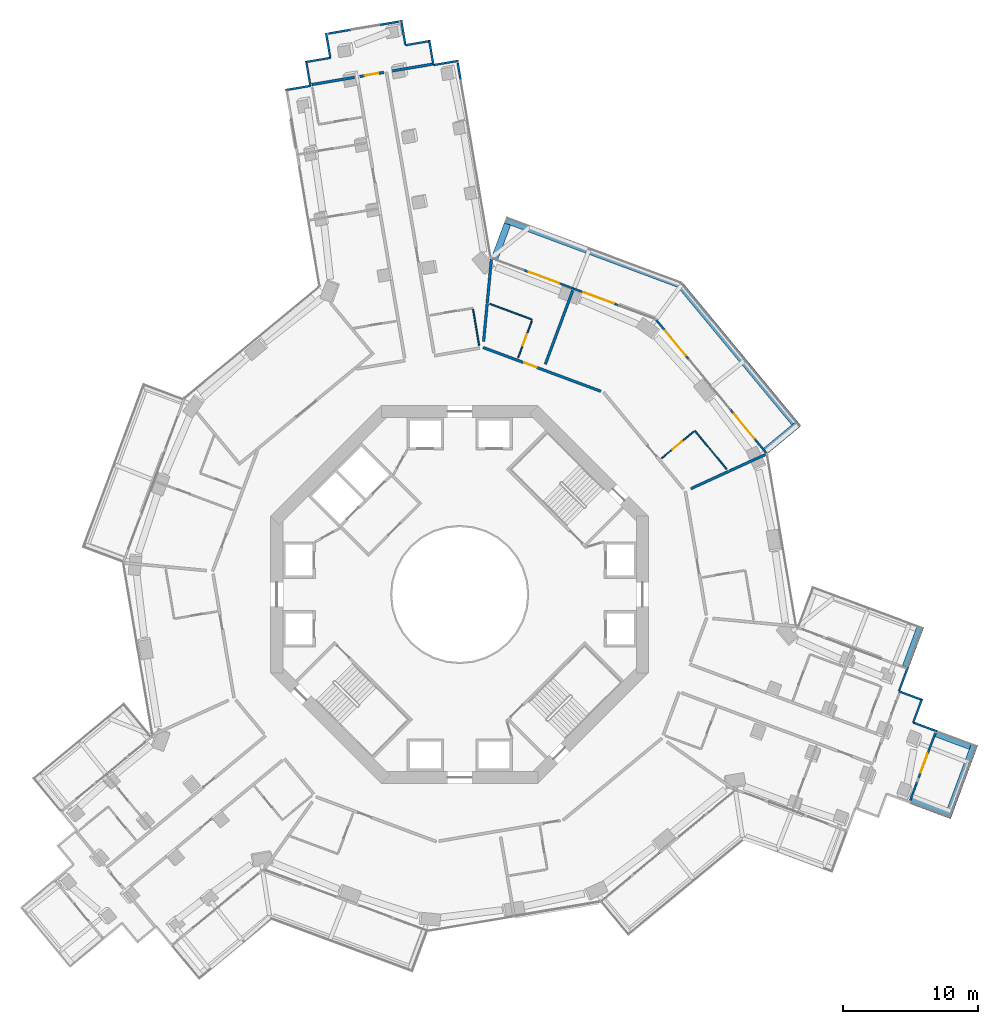
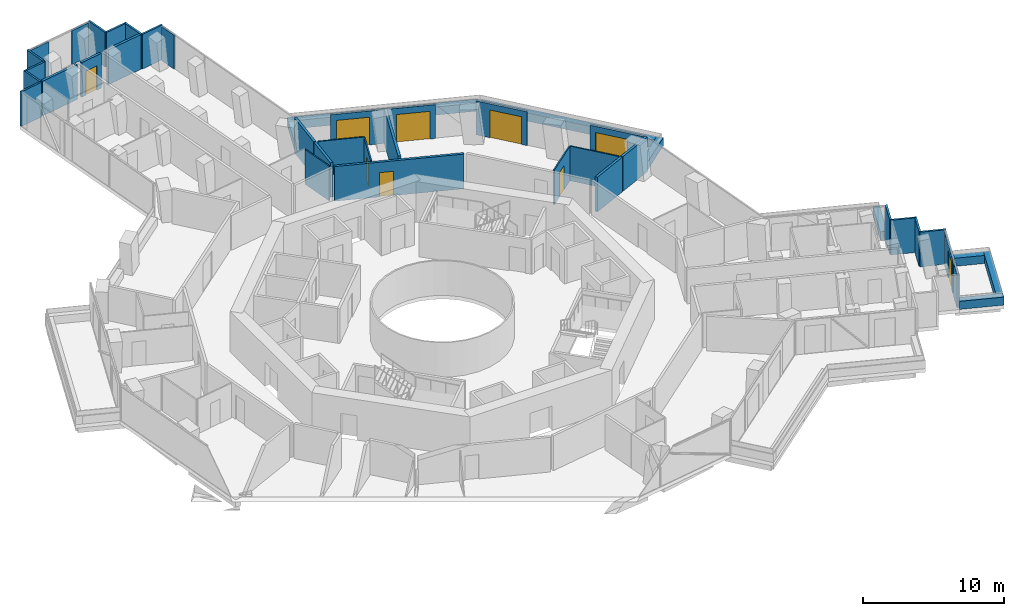
# One storey, part 24 of 27: 43 walls, 9 doors, 9 openings.
"""IFC4 building model written with IfcOpenShell, lengths in metres."""

from ifc_helpers import new_model, si_unit, direction, frame, frame_2d, origin, place, context, subcontext, project, spatial, rectangle, extrude, material, layer, layer_set, type_object, element, fill, save


model = new_model("IFC4")

# Units and contexts
model_context = context("Model", 3, precision=1e-05, world=origin(), true_north=direction((0.0, 1.0)))
body_context = subcontext(model_context, "Body", "Model", "MODEL_VIEW")
ifc_project = project(units=[si_unit("LENGTHUNIT", "METRE"), si_unit("AREAUNIT", "SQUARE_METRE"), si_unit("VOLUMEUNIT", "CUBIC_METRE"), si_unit("PLANEANGLEUNIT", "RADIAN"), si_unit("MASSUNIT", "GRAM", prefix="KILO")], contexts=[model_context])

# Site, building, storey
site_placement = place(None, origin())
site = spatial("IfcSite", under=ifc_project, at=site_placement, CompositionType="ELEMENT")
building_placement = place(site_placement, origin())
building = spatial("IfcBuilding", under=site, at=building_placement, Name="Verdalira Terraces Hotel", CompositionType="ELEMENT")
storey_placement = place(building_placement, frame((0.0, 0.0, 71.5)))
storey = spatial("IfcBuildingStorey", under=building, at=storey_placement, Name="L16", CompositionType="ELEMENT", Elevation=71.5)

# Walls
ifc_material_1 = material(Name="Concrete C40", Category="concrete")
ifc_layer_1 = layer(ifc_material_1, 0.5)
ifc_layer_set_1 = layer_set([ifc_layer_1], Name="Balcony planter trough with tree")
wall_type_1 = type_object("IfcWallType", Name="Balcony planter trough with tree", PredefinedType="SOLIDWALL", material=ifc_layer_set_1)
wall_1_placement = place(storey_placement, frame((33.455078, -15.269043, 0.0), z_axis=(0.0, 0.0, 1.0), x_axis=(0.937263611, -0.348621462, 0.0)))
element("IfcWall", 1, at=wall_1_placement, inside=storey, type_object=wall_type_1, Name="Balcony planter", PredefinedType="SOLIDWALL", context=body_context, shape_type="SweptSolid", body=[
    extrude(rectangle(XDim=3.198975, YDim=0.5, at=frame_2d((1.599609, 0.0))), origin(), (0.0, 0.0, 1.0), 0.699951),
])
wall_2_placement = place(storey_placement, frame((36.306152, -16.062744, 0.0), z_axis=(0.0, 0.0, 1.0), x_axis=(0.348572797, 0.937281711, 0.0)))
element("IfcWall", 2, at=wall_2_placement, inside=storey, type_object=wall_type_1, Name="Balcony planter", PredefinedType="SOLIDWALL", context=body_context, shape_type="SweptSolid", body=[
    extrude(rectangle(XDim=5.300049, YDim=0.5, at=frame_2d((2.649902, 0.0))), origin(), (0.0, 0.0, 1.0), 0.699951),
])
wall_3_placement = place(storey_placement, frame((37.832031, -11.242432, 0.0), z_axis=(0.0, 0.0, 1.0), x_axis=(-0.937258975, 0.348633924, 0.0)))
element("IfcWall", 3, at=wall_3_placement, inside=storey, type_object=wall_type_1, Name="Balcony planter", PredefinedType="SOLIDWALL", context=body_context, shape_type="SweptSolid", body=[
    extrude(rectangle(XDim=2.698975, YDim=0.5, at=frame_2d((1.349609, 0.0))), origin(), (0.0, 0.0, 1.0), 0.699951),
])
wall_4_placement = place(storey_placement, frame((33.035156, -5.349609, 0.0), z_axis=(0.0, 0.0, 1.0), x_axis=(0.348621462, 0.937263611, 0.0)))
element("IfcWall", 4, at=wall_4_placement, inside=storey, type_object=wall_type_1, Name="Balcony planter", PredefinedType="SOLIDWALL", context=body_context, shape_type="SweptSolid", body=[
    extrude(rectangle(XDim=3.198975, YDim=0.5, at=frame_2d((1.599609, 0.0))), origin(), (0.0, 0.0, 1.0), 0.699951),
])
wall_5_placement = place(storey_placement, frame((22.676025, 10.647705, 0.0), z_axis=(0.0, 0.0, 1.0), x_axis=(0.770480916, 0.637463064, 0.0)))
element("IfcWall", 5, at=wall_5_placement, inside=storey, type_object=wall_type_1, Name="Balcony planter", PredefinedType="SOLIDWALL", context=body_context, shape_type="SweptSolid", body=[
    extrude(rectangle(XDim=3.199219, YDim=0.5, at=frame_2d((1.599609, 0.0))), origin(), (0.0, 0.0, 1.0), 0.699951),
])
wall_6_placement = place(storey_placement, frame((24.788818, 12.720215, 0.0), z_axis=(0.0, 0.0, 1.0), x_axis=(-0.637429031, 0.770509073, 0.0)))
element("IfcWall", 6, at=wall_6_placement, inside=storey, type_object=wall_type_1, Name="Balcony planter", PredefinedType="SOLIDWALL", context=body_context, shape_type="SweptSolid", body=[
    extrude(rectangle(XDim=13.223389, YDim=0.5, at=frame_2d((6.611816, 0.0))), origin(), (0.0, 0.0, 1.0), 0.699951),
])
wall_7_placement = place(storey_placement, frame((16.254395, 22.983887, 0.0), z_axis=(0.0, 0.0, 1.0), x_axis=(-0.937278362, 0.348581802, 0.0)))
element("IfcWall", 7, at=wall_7_placement, inside=storey, type_object=wall_type_1, Name="Balcony planter", PredefinedType="SOLIDWALL", context=body_context, shape_type="SweptSolid", body=[
    extrude(rectangle(XDim=13.723389, YDim=0.5, at=frame_2d((6.861816, 0.0))), origin(), (0.0, 0.0, 1.0), 0.699951),
])
wall_8_placement = place(storey_placement, frame((3.538818, 27.446045, 0.0), z_axis=(0.0, 0.0, 1.0), x_axis=(-0.348554455, -0.937288532, 0.0)))
element("IfcWall", 8, at=wall_8_placement, inside=storey, type_object=wall_type_1, Name="Balcony planter", PredefinedType="SOLIDWALL", context=body_context, shape_type="SweptSolid", body=[
    extrude(rectangle(XDim=2.69873, YDim=0.5, at=frame_2d((1.349365, 0.0))), origin(), (0.0, 0.0, 1.0), 0.699951),
])
ifc_material_2 = material(Name="Moisture-resistant gypsum board partition")
ifc_layer_2 = layer(ifc_material_2, 0.10009765625)
ifc_layer_set_2 = layer_set([ifc_layer_2], Name="Bathroom partition 100 mm")
wall_type_2 = type_object("IfcWallType", Name="Bathroom partition 100 mm", PredefinedType="PARTITIONING", material=ifc_layer_set_2)
wall_9_placement = place(storey_placement, frame((0.991699, 21.119385, 0.0), z_axis=(0.0, 0.0, 1.0), x_axis=(0.166832608, -0.985985234, 0.0)))
element("IfcWall", 9, at=wall_9_placement, inside=storey, type_object=wall_type_2, Name="Bathroom partition", PredefinedType="PARTITIONING", context=body_context, shape_type="SweptSolid", body=[
    extrude(rectangle(XDim=2.699951, YDim=0.100098, at=frame_2d((1.350098, 0.0))), origin(), (0.0, 0.0, 1.0), 3.0),
])
wall_10_placement = place(storey_placement, frame((2.236084, 21.529297, 0.0), z_axis=(0.0, 0.0, 1.0), x_axis=(0.937266155, -0.348614623, 0.0)))
element("IfcWall", 10, at=wall_10_placement, inside=storey, type_object=wall_type_2, Name="Bathroom partition", PredefinedType="PARTITIONING", context=body_context, shape_type="SweptSolid", body=[
    extrude(rectangle(XDim=3.350342, YDim=0.100098, at=frame_2d((1.675293, 0.0))), origin(), (0.0, 0.0, 1.0), 3.0),
])

# Wall, opening, door
wall_11_placement = place(storey_placement, frame((4.330566, 17.549561, 0.0), z_axis=(0.0, 0.0, 1.0), x_axis=(0.348547967, 0.937290945, 0.0)))
wall_11 = element("IfcWall", 11, at=wall_11_placement, inside=storey, type_object=wall_type_2, Name="Bathroom partition", PredefinedType="PARTITIONING", context=body_context, shape_type="SweptSolid", body=[
    extrude(rectangle(XDim=2.899902, YDim=0.100098, at=frame_2d((1.449951, 0.0))), origin(), (0.0, 0.0, 1.0), 3.0),
])
opening_1_placement = place(wall_11_placement, frame((0.949951, 0.0, 0.0)))
opening_1 = element("IfcOpeningElement", 12, at=opening_1_placement, cuts=wall_11, Name="Opening L16-137", PredefinedType="OPENING", context=body_context, shape_type="SweptSolid", body=[
    extrude(rectangle(XDim=0.899902, YDim=2.100098, at=frame_2d((0.449951, 1.050049))), frame((0.0, 0.060059, 0.0), z_axis=(0.0, -1.0, 0.0), x_axis=(1.0, 0.0, 0.0)), (0.0, 0.0, 1.0), 0.120117),
])
ifc_material_3 = material(Name="Timber door", Category="wood")
door_type_1 = type_object("IfcDoorType", Name="Bathroom door 900 x 2100", OperationType="NOTDEFINED", PredefinedType="DOOR", material=ifc_material_3)
door_1_placement = place(opening_1_placement, origin())
door_1 = element("IfcDoor", 13, at=door_1_placement, inside=storey, type_object=door_type_1, Name="Bathroom door 1616", OperationType="SINGLE_SWING_RIGHT", OverallHeight=2.10009765625, OverallWidth=0.89990234375, PredefinedType="DOOR", context=body_context, shape_type="SweptSolid", body=[
    extrude(rectangle(XDim=0.899902, YDim=2.100098, at=frame_2d((0.449951, 1.050049))), frame((0.0, 0.024902, 0.0), z_axis=(0.0, -1.0, 0.0), x_axis=(1.0, 0.0, 0.0)), (0.0, 0.0, 1.0), 0.050049),
])
fill(opening_1, door_1)

wall_12_placement = place(storey_placement, frame((17.346436, 12.068359, 0.0), z_axis=(0.0, 0.0, 1.0), x_axis=(-0.770482353, -0.637461327, 0.0)))
wall_12 = element("IfcWall", 14, at=wall_12_placement, inside=storey, type_object=wall_type_2, Name="Bathroom partition", PredefinedType="PARTITIONING", context=body_context, shape_type="SweptSolid", body=[
    extrude(rectangle(XDim=3.099854, YDim=0.100098, at=frame_2d((1.549805, 0.0))), origin(), (0.0, 0.0, 1.0), 3.0),
])
opening_2_placement = place(wall_12_placement, frame((1.149902, 0.0, 0.0)))
opening_2 = element("IfcOpeningElement", 15, at=opening_2_placement, cuts=wall_12, Name="Opening L16-135", PredefinedType="OPENING", context=body_context, shape_type="SweptSolid", body=[
    extrude(rectangle(XDim=0.899902, YDim=2.100098, at=frame_2d((0.449951, 1.050049))), frame((0.0, 0.060059, 0.0), z_axis=(0.0, -1.0, 0.0), x_axis=(1.0, 0.0, 0.0)), (0.0, 0.0, 1.0), 0.120117),
])
door_2_placement = place(opening_2_placement, origin())
door_2 = element("IfcDoor", 16, at=door_2_placement, inside=storey, type_object=door_type_1, Name="Bathroom door 1615", OperationType="SINGLE_SWING_LEFT", OverallHeight=2.10009765625, OverallWidth=0.89990234375, PredefinedType="DOOR", context=body_context, shape_type="SweptSolid", body=[
    extrude(rectangle(XDim=0.899902, YDim=2.100098, at=frame_2d((0.449951, 1.050049))), frame((0.0, 0.024902, 0.0), z_axis=(0.0, -1.0, 0.0), x_axis=(1.0, 0.0, 0.0)), (0.0, 0.0, 1.0), 0.050049),
])
fill(opening_2, door_2)

# Walls
wall_13_placement = place(storey_placement, frame((17.423584, 12.13208, 0.0), z_axis=(0.0, 0.0, 1.0), x_axis=(0.637431462, -0.770507061, 0.0)))
element("IfcWall", 17, at=wall_13_placement, inside=storey, type_object=wall_type_2, Name="Bathroom partition", PredefinedType="PARTITIONING", context=body_context, shape_type="SweptSolid", body=[
    extrude(rectangle(XDim=3.704102, YDim=0.100098, at=frame_2d((1.852051, 0.0))), origin(), (0.0, 0.0, 1.0), 3.0),
])
ifc_material_4 = material(Name="Fire-rated gypsum board wall")
ifc_layer_3 = layer(ifc_material_4, 0.199951171875)
ifc_layer_set_3 = layer_set([ifc_layer_3], Name="Demising wall 200 mm")
wall_type_3 = type_object("IfcWallType", Name="Demising wall 200 mm", PredefinedType="SOLIDWALL", material=ifc_layer_set_3)
wall_14_placement = place(storey_placement, frame((-7.796875, 38.314453, 0.0), z_axis=(0.0, 0.0, 1.0), x_axis=(-0.985991491, -0.166795624, 0.0)))
element("IfcWall", 18, at=wall_14_placement, inside=storey, type_object=wall_type_3, Name="Demising wall", PredefinedType="SOLIDWALL", context=body_context, shape_type="SweptSolid", body=[
    extrude(rectangle(XDim=3.204102, YDim=0.199951, at=frame_2d((1.602051, 0.0))), origin(), (0.0, 0.0, 1.0), 3.0),
])
wall_15_placement = place(storey_placement, frame((-2.030762, 39.289795, 0.0), z_axis=(0.0, 0.0, 1.0), x_axis=(-0.985984384, -0.166837631, 0.0)))
element("IfcWall", 19, at=wall_15_placement, inside=storey, type_object=wall_type_3, Name="Demising wall", PredefinedType="SOLIDWALL", context=body_context, shape_type="SweptSolid", body=[
    extrude(rectangle(XDim=3.002686, YDim=0.199951, at=frame_2d((1.501465, 0.0))), origin(), (0.0, 0.0, 1.0), 3.0),
])
wall_16_placement = place(storey_placement, frame((2.037354, 21.553711, 0.0), z_axis=(0.0, 0.0, 1.0), x_axis=(-0.094097597, -0.995562978, 0.0)))
element("IfcWall", 20, at=wall_16_placement, inside=storey, type_object=wall_type_3, Name="Demising wall", PredefinedType="SOLIDWALL", context=body_context, shape_type="SweptSolid", body=[
    extrude(rectangle(XDim=2.817627, YDim=0.199951, at=frame_2d((1.408691, 0.0))), origin(), (0.0, 0.0, 1.0), 3.0),
])
wall_17_placement = place(storey_placement, frame((2.349365, 24.853271, 0.0), z_axis=(0.0, 0.0, 1.0), x_axis=(-0.094118165, -0.995561033, 0.0)))
element("IfcWall", 21, at=wall_17_placement, inside=storey, type_object=wall_type_3, Name="Demising wall", PredefinedType="SOLIDWALL", context=body_context, shape_type="SweptSolid", body=[
    extrude(rectangle(XDim=3.268311, YDim=0.199951, at=frame_2d((1.634277, 0.0))), origin(), (0.0, 0.0, 1.0), 3.0),
])
wall_18_placement = place(storey_placement, frame((6.345947, 17.063721, 0.0), z_axis=(0.0, 0.0, 1.0), x_axis=(0.348588385, 0.937275913, 0.0)))
element("IfcWall", 22, at=wall_18_placement, inside=storey, type_object=wall_type_3, Name="Demising wall", PredefinedType="SOLIDWALL", context=body_context, shape_type="SweptSolid", body=[
    extrude(rectangle(XDim=5.902832, YDim=0.199951, at=frame_2d((2.951416, 0.0))), origin(), (0.0, 0.0, 1.0), 3.0),
])
wall_19_placement = place(storey_placement, frame((17.122803, 7.839355, 0.0), z_axis=(0.0, 0.0, 1.0), x_axis=(0.909226405, 0.416301986, 0.0)))
element("IfcWall", 23, at=wall_19_placement, inside=storey, type_object=wall_type_3, Name="Demising wall", PredefinedType="SOLIDWALL", context=body_context, shape_type="SweptSolid", body=[
    extrude(rectangle(XDim=3.074707, YDim=0.199951, at=frame_2d((1.537354, 0.0))), origin(), (0.0, 0.0, 1.0), 3.0),
])
wall_20_placement = place(storey_placement, frame((19.960205, 9.138428, 0.0), z_axis=(0.0, 0.0, 1.0), x_axis=(0.90922469, 0.416305732, 0.0)))
element("IfcWall", 24, at=wall_20_placement, inside=storey, type_object=wall_type_3, Name="Demising wall", PredefinedType="SOLIDWALL", context=body_context, shape_type="SweptSolid", body=[
    extrude(rectangle(XDim=3.011475, YDim=0.199951, at=frame_2d((1.505859, 0.0))), origin(), (0.0, 0.0, 1.0), 3.0),
])

# Wall, opening, door
ifc_material_5 = material(Name="Fire-rated gypsum board wall")
ifc_layer_4 = layer(ifc_material_5, 0.199951171875)
ifc_layer_set_4 = layer_set([ifc_layer_4], Name="Guest corridor wall 200 mm")
wall_type_4 = type_object("IfcWallType", Name="Guest corridor wall 200 mm", PredefinedType="SOLIDWALL", material=ifc_layer_set_4)
wall_21_placement = place(storey_placement, frame((-7.406494, 38.380371, 0.0), z_axis=(0.0, 0.0, 1.0), x_axis=(0.985995626, 0.166771176, 0.0)))
wall_21 = element("IfcWall", 25, at=wall_21_placement, inside=storey, type_object=wall_type_4, Name="Guest corridor wall", PredefinedType="SOLIDWALL", context=body_context, shape_type="SweptSolid", body=[
    extrude(rectangle(XDim=1.802002, YDim=0.199951, at=frame_2d((0.900879, 0.0))), origin(), (0.0, 0.0, 1.0), 3.0),
])
opening_3_placement = place(wall_21_placement, frame((0.399902, 0.0, 0.0)))
opening_3 = element("IfcOpeningElement", 26, at=opening_3_placement, cuts=wall_21, Name="Opening L16-103", PredefinedType="OPENING", context=body_context, shape_type="SweptSolid", body=[
    extrude(rectangle(XDim=1.0, YDim=2.100098, at=frame_2d((0.5, 1.050049))), frame((0.0, 0.109863, 0.0), z_axis=(0.0, -1.0, 0.0), x_axis=(1.0, 0.0, 0.0)), (0.0, 0.0, 1.0), 0.219971),
])
ifc_material_6 = material(Name="Timber door", Category="wood")
door_type_2 = type_object("IfcDoorType", Name="Lounge door 1000 x 2100", OperationType="NOTDEFINED", PredefinedType="DOOR", material=ifc_material_6)
door_3_placement = place(opening_3_placement, origin())
door_3 = element("IfcDoor", 27, at=door_3_placement, inside=storey, type_object=door_type_2, Name="Lounge door 1602", OperationType="SINGLE_SWING_LEFT", OverallHeight=2.10009765625, OverallWidth=1.0, PredefinedType="DOOR", context=body_context, shape_type="SweptSolid", body=[
    extrude(rectangle(XDim=1.0, YDim=2.100098, at=frame_2d((0.5, 1.050049))), frame((0.0, 0.024902, 0.0), z_axis=(0.0, -1.0, 0.0), x_axis=(1.0, 0.0, 0.0)), (0.0, 0.0, 1.0), 0.050049),
])
fill(opening_3, door_3)

wall_22_placement = place(storey_placement, frame((1.730225, 18.303223, 0.0), z_axis=(0.0, 0.0, 1.0), x_axis=(0.937280999, -0.348574712, 0.0)))
wall_22 = element("IfcWall", 28, at=wall_22_placement, inside=storey, type_object=wall_type_4, Name="Guest corridor wall", PredefinedType="SOLIDWALL", context=body_context, shape_type="SweptSolid", body=[
    extrude(rectangle(XDim=9.315918, YDim=0.199951, at=frame_2d((4.657959, 0.0))), origin(), (0.0, 0.0, 1.0), 3.0),
])
opening_4_placement = place(wall_22_placement, frame((3.25, 0.0, 0.0)))
opening_4 = element("IfcOpeningElement", 29, at=opening_4_placement, cuts=wall_22, Name="Opening L16-136", PredefinedType="OPENING", context=body_context, shape_type="SweptSolid", body=[
    extrude(rectangle(XDim=1.0, YDim=2.100098, at=frame_2d((0.5, 1.050049))), frame((0.0, 0.109863, 0.0), z_axis=(0.0, -1.0, 0.0), x_axis=(1.0, 0.0, 0.0)), (0.0, 0.0, 1.0), 0.219971),
])
ifc_material_7 = material(Name="Timber fire door", Category="wood")
door_type_3 = type_object("IfcDoorType", Name="Guest entry door 1000 x 2100", OperationType="NOTDEFINED", PredefinedType="DOOR", material=ifc_material_7)
door_4_placement = place(opening_4_placement, origin())
door_4 = element("IfcDoor", 30, at=door_4_placement, inside=storey, type_object=door_type_3, Name="Guest entry door 1616", OperationType="SINGLE_SWING_RIGHT", OverallHeight=2.10009765625, OverallWidth=1.0, PredefinedType="DOOR", context=body_context, shape_type="SweptSolid", body=[
    extrude(rectangle(XDim=1.0, YDim=2.100098, at=frame_2d((0.5, 1.050049))), frame((0.0, 0.024902, 0.0), z_axis=(0.0, -1.0, 0.0), x_axis=(1.0, 0.0, 0.0)), (0.0, 0.0, 1.0), 0.050049),
])
fill(opening_4, door_4)

# Walls
ifc_material_8 = material(Name="Terracotta cladding", Category="masonry")
ifc_layer_5 = layer(ifc_material_8, 0.14990234375)
ifc_layer_set_5 = layer_set([ifc_layer_5], Name="Terracotta clad wall 150")
wall_type_5 = type_object("IfcWallType", Name="Terracotta clad wall 150", PredefinedType="SOLIDWALL", material=ifc_layer_set_5)
wall_23_placement = place(storey_placement, frame((-0.095459, 39.541016, 0.0), z_axis=(0.0, 0.0, 1.0), x_axis=(-0.985993405, -0.166784306, 0.0)))
element("IfcWall", 31, at=wall_23_placement, inside=storey, type_object=wall_type_5, Name="Terracotta cladding wall", PredefinedType="SOLIDWALL", context=body_context, shape_type="SweptSolid", body=[
    extrude(rectangle(XDim=1.875244, YDim=0.149902, at=frame_2d((0.9375, 0.0))), origin(), (0.0, 0.0, 1.0), 3.0),
])
wall_24_placement = place(storey_placement, frame((-1.944336, 39.228271, 0.0), z_axis=(0.0, 0.0, 1.0), x_axis=(-0.166708174, 0.98600628, 0.0)))
element("IfcWall", 32, at=wall_24_placement, inside=storey, type_object=wall_type_5, Name="Terracotta cladding wall", PredefinedType="SOLIDWALL", context=body_context, shape_type="SweptSolid", body=[
    extrude(rectangle(XDim=1.799805, YDim=0.149902, at=frame_2d((0.899902, 0.0))), origin(), (0.0, 0.0, 1.0), 3.0),
])
wall_25_placement = place(storey_placement, frame((-2.17041, 41.015625, 0.0), z_axis=(0.0, 0.0, 1.0), x_axis=(-0.985993405, -0.166784306, 0.0)))
element("IfcWall", 33, at=wall_25_placement, inside=storey, type_object=wall_type_5, Name="Terracotta cladding wall", PredefinedType="SOLIDWALL", context=body_context, shape_type="SweptSolid", body=[
    extrude(rectangle(XDim=1.875244, YDim=0.149902, at=frame_2d((0.9375, 0.0))), origin(), (0.0, 0.0, 1.0), 3.0),
])
wall_26_placement = place(storey_placement, frame((-4.019287, 40.702881, 0.0), z_axis=(0.0, 0.0, 1.0), x_axis=(-0.16680572, 0.985989783, 0.0)))
element("IfcWall", 34, at=wall_26_placement, inside=storey, type_object=wall_type_5, Name="Terracotta cladding wall", PredefinedType="SOLIDWALL", context=body_context, shape_type="SweptSolid", body=[
    extrude(rectangle(XDim=1.875, YDim=0.149902, at=frame_2d((0.9375, 0.0))), origin(), (0.0, 0.0, 1.0), 3.0),
])
wall_27_placement = place(storey_placement, frame((-9.902832, 41.609375, 0.0), z_axis=(0.0, 0.0, 1.0), x_axis=(0.166784306, -0.985993405, 0.0)))
element("IfcWall", 35, at=wall_27_placement, inside=storey, type_object=wall_type_5, Name="Terracotta cladding wall", PredefinedType="SOLIDWALL", context=body_context, shape_type="SweptSolid", body=[
    extrude(rectangle(XDim=1.875244, YDim=0.149902, at=frame_2d((0.9375, 0.0))), origin(), (0.0, 0.0, 1.0), 3.0),
])
wall_28_placement = place(storey_placement, frame((-9.590088, 39.760498, 0.0), z_axis=(0.0, 0.0, 1.0), x_axis=(-0.986010049, -0.16668588, 0.0)))
element("IfcWall", 36, at=wall_28_placement, inside=storey, type_object=wall_type_5, Name="Terracotta cladding wall", PredefinedType="SOLIDWALL", context=body_context, shape_type="SweptSolid", body=[
    extrude(rectangle(XDim=1.800049, YDim=0.149902, at=frame_2d((0.899902, 0.0))), origin(), (0.0, 0.0, 1.0), 3.0),
])
for number, where, z_axis, x_axis, name in (
    (37, (-11.377441, 39.534424, 0.0), (0.0, 0.0, 1.0), (0.166784306, -0.985993405, 0.0), "Terracotta cladding wall"),
    (38, (-11.064697, 37.685547, 0.0), (0.0, 0.0, 1.0), (-0.985993405, -0.166784306, 0.0), "Terracotta cladding wall"),
    (39, (35.362549, -10.137207, 0.0), (0.0, 0.0, 1.0), (-0.937294074, 0.348539552, 0.0), "Terracotta cladding wall"),
):
    element("IfcWall", number, at=place(storey_placement, frame(where, z_axis=z_axis, x_axis=x_axis)), inside=storey, type_object=wall_type_5, Name=name, PredefinedType="SOLIDWALL", context=body_context, shape_type="SweptSolid", body=[
        extrude(rectangle(XDim=1.875244, YDim=0.149902, at=frame_2d((0.9375, 0.0))), origin(), (0.0, 0.0, 1.0), 3.0),
    ])
wall_29_placement = place(storey_placement, frame((33.60498, -9.483643, 0.0), z_axis=(0.0, 0.0, 1.0), x_axis=(0.348550856, 0.93728987, 0.0)))
element("IfcWall", 40, at=wall_29_placement, inside=storey, type_object=wall_type_5, Name="Terracotta cladding wall", PredefinedType="SOLIDWALL", context=body_context, shape_type="SweptSolid", body=[
    extrude(rectangle(XDim=1.800049, YDim=0.149902, at=frame_2d((0.899902, 0.0))), origin(), (0.0, 0.0, 1.0), 3.0),
])
for number, where, z_axis, x_axis, name in (
    (41, (34.302734, -7.82251, 0.0), (0.0, 0.0, 1.0), (-0.937278254, 0.34858209, 0.0), "Terracotta cladding wall"),
    (42, (32.54541, -7.168945, 0.0), (0.0, 0.0, 1.0), (0.34858209, 0.937278254, 0.0), "Terracotta cladding wall"),
):
    element("IfcWall", number, at=place(storey_placement, frame(where, z_axis=z_axis, x_axis=x_axis)), inside=storey, type_object=wall_type_5, Name=name, PredefinedType="SOLIDWALL", context=body_context, shape_type="SweptSolid", body=[
        extrude(rectangle(XDim=1.875, YDim=0.149902, at=frame_2d((0.9375, 0.0))), origin(), (0.0, 0.0, 1.0), 3.0),
    ])
ifc_material_9 = material(Name="Terracotta cladding", Category="masonry")
ifc_layer_6 = layer(ifc_material_9, 0.14990234375)
ifc_layer_set_6 = layer_set([ifc_layer_6], Name="Terracotta column pier 150")
wall_type_6 = type_object("IfcWallType", Name="Terracotta column pier 150", PredefinedType="SOLIDWALL", material=ifc_layer_set_6)
wall_30_placement = place(storey_placement, frame((0.079346, 38.056641, 0.0), z_axis=(0.0, 0.0, 1.0), x_axis=(-0.166660516, 0.986014337, 0.0)))
element("IfcWall", 43, at=wall_30_placement, inside=storey, type_object=wall_type_6, Name="Terracotta column pier", PredefinedType="SOLIDWALL", context=body_context, shape_type="SweptSolid", body=[
    extrude(rectangle(XDim=1.347656, YDim=0.149902, at=frame_2d((0.673828, 0.0))), origin(), (0.0, 0.0, 1.0), 2.935059),
])
wall_31_placement = place(storey_placement, frame((-4.472168, 42.45166, 0.0), z_axis=(0.0, 0.0, 1.0), x_axis=(-0.986008565, -0.16669466, 0.0)))
element("IfcWall", 44, at=wall_31_placement, inside=storey, type_object=wall_type_6, Name="Terracotta column pier", PredefinedType="SOLIDWALL", context=body_context, shape_type="SweptSolid", body=[
    extrude(rectangle(XDim=1.517334, YDim=0.149902, at=frame_2d((0.758789, 0.0))), origin(), (0.0, 0.0, 1.0), 2.935059),
])
wall_32_placement = place(storey_placement, frame((-8.081055, 41.841309, 0.0), z_axis=(0.0, 0.0, 1.0), x_axis=(-0.986010296, -0.166684423, 0.0)))
element("IfcWall", 45, at=wall_32_placement, inside=storey, type_object=wall_type_6, Name="Terracotta column pier", PredefinedType="SOLIDWALL", context=body_context, shape_type="SweptSolid", body=[
    extrude(rectangle(XDim=1.679932, YDim=0.149902, at=frame_2d((0.839844, 0.0))), origin(), (0.0, 0.0, 1.0), 2.935059),
])
wall_33_placement = place(storey_placement, frame((33.376709, -15.261475, 0.0), z_axis=(0.0, 0.0, 1.0), x_axis=(0.348636151, 0.937258147, 0.0)))
element("IfcWall", 46, at=wall_33_placement, inside=storey, type_object=wall_type_6, Name="Terracotta column pier", PredefinedType="SOLIDWALL", context=body_context, shape_type="SweptSolid", body=[
    extrude(rectangle(XDim=1.431396, YDim=0.149902, at=frame_2d((0.71582, 0.0))), origin(), (0.0, 0.0, 1.0), 2.935059),
])

# Wall, opening, door
ifc_material_10 = material(Name="Terracotta cladding", Category="masonry")
ifc_layer_7 = layer(ifc_material_10, 0.14990234375)
ifc_layer_set_7 = layer_set([ifc_layer_7], Name="Terracotta door pier 150")
wall_type_7 = type_object("IfcWallType", Name="Terracotta door pier 150", PredefinedType="SOLIDWALL", material=ifc_layer_set_7)
wall_34_placement = place(storey_placement, frame((34.007568, -13.564941, 0.0), z_axis=(0.0, 0.0, 1.0), x_axis=(0.348575473, 0.937280716, 0.0)))
wall_34 = element("IfcWall", 47, at=wall_34_placement, inside=storey, type_object=wall_type_7, Name="Terracotta door pier", PredefinedType="SOLIDWALL", context=body_context, shape_type="SweptSolid", body=[
    extrude(rectangle(XDim=3.530029, YDim=0.149902, at=frame_2d((1.765137, 0.0))), origin(), (0.0, 0.0, 1.0), 2.935059),
])
opening_5_placement = place(wall_34_placement, frame((0.399902, 0.0, 0.0)))
opening_5 = element("IfcOpeningElement", 48, at=opening_5_placement, cuts=wall_34, Name="Opening L16-B13", PredefinedType="OPENING", context=body_context, shape_type="SweptSolid", body=[
    extrude(rectangle(XDim=1.5, YDim=2.399902, at=frame_2d((0.75, 1.199951))), frame((0.0, 0.084961, 0.0), z_axis=(0.0, -1.0, 0.0), x_axis=(1.0, 0.0, 0.0)), (0.0, 0.0, 1.0), 0.169922),
])
ifc_material_11 = material(Name="Clear glass", Category="glass")
door_type_4 = type_object("IfcDoorType", Name="Balcony sliding door 1500x2400", OperationType="NOTDEFINED", PredefinedType="DOOR", material=ifc_material_11)
door_5_placement = place(opening_5_placement, origin())
door_5 = element("IfcDoor", 49, at=door_5_placement, inside=storey, type_object=door_type_4, Name="Balcony sliding door", OperationType="SLIDING_TO_RIGHT", OverallHeight=2.39990234375, OverallWidth=1.5, PredefinedType="DOOR", context=body_context, shape_type="SweptSolid", body=[
    extrude(rectangle(XDim=1.5, YDim=2.399902, at=frame_2d((0.75, 1.199951))), frame((0.0, 0.024902, 0.0), z_axis=(0.0, -1.0, 0.0), x_axis=(1.0, 0.0, 0.0)), (0.0, 0.0, 1.0), 0.050049),
])
fill(opening_5, door_5)

wall_35_placement = place(storey_placement, frame((22.712891, 10.483887, 0.0), z_axis=(0.0, 0.0, 1.0), x_axis=(-0.63739785, 0.770534867, 0.0)))
wall_35 = element("IfcWall", 50, at=wall_35_placement, inside=storey, type_object=wall_type_7, Name="Terracotta door pier", PredefinedType="SOLIDWALL", context=body_context, shape_type="SweptSolid", body=[
    extrude(rectangle(XDim=4.177246, YDim=0.149902, at=frame_2d((2.088623, 0.0))), origin(), (0.0, 0.0, 1.0), 2.935059),
])
opening_6_placement = place(wall_35_placement, frame((1.377441, 0.0, 0.0)))
opening_6 = element("IfcOpeningElement", 51, at=opening_6_placement, cuts=wall_35, Name="Opening L16-B15", PredefinedType="OPENING", context=body_context, shape_type="SweptSolid", body=[
    extrude(rectangle(XDim=2.399902, YDim=2.399902, at=frame_2d((1.199951, 1.199951))), frame((0.0, 0.084961, 0.0), z_axis=(0.0, -1.0, 0.0), x_axis=(1.0, 0.0, 0.0)), (0.0, 0.0, 1.0), 0.169922),
])
ifc_material_12 = material(Name="Clear glass", Category="glass")
door_type_5 = type_object("IfcDoorType", Name="Balcony sliding door 2400x2400", OperationType="NOTDEFINED", PredefinedType="DOOR", material=ifc_material_12)
door_6_placement = place(opening_6_placement, origin())
door_6 = element("IfcDoor", 52, at=door_6_placement, inside=storey, type_object=door_type_5, Name="Balcony sliding door", OperationType="SLIDING_TO_LEFT", OverallHeight=2.39990234375, OverallWidth=2.39990234375, PredefinedType="DOOR", context=body_context, shape_type="SweptSolid", body=[
    extrude(rectangle(XDim=2.399902, YDim=2.399902, at=frame_2d((1.199951, 1.199951))), frame((0.0, 0.024902, 0.0), z_axis=(0.0, -1.0, 0.0), x_axis=(1.0, 0.0, 0.0)), (0.0, 0.0, 1.0), 0.050049),
])
fill(opening_6, door_6)

wall_36_placement = place(storey_placement, frame((17.00293, 17.38623, 0.0), z_axis=(0.0, 0.0, 1.0), x_axis=(-0.637429835, 0.770508407, 0.0)))
wall_36 = element("IfcWall", 53, at=wall_36_placement, inside=storey, type_object=wall_type_7, Name="Terracotta door pier", PredefinedType="SOLIDWALL", context=body_context, shape_type="SweptSolid", body=[
    extrude(rectangle(XDim=3.841553, YDim=0.149902, at=frame_2d((1.920898, 0.0))), origin(), (0.0, 0.0, 1.0), 2.935059),
])
opening_7_placement = place(wall_36_placement, frame((0.399902, 0.0, 0.0)))
opening_7 = element("IfcOpeningElement", 54, at=opening_7_placement, cuts=wall_36, Name="Opening L16-B16", PredefinedType="OPENING", context=body_context, shape_type="SweptSolid", body=[
    extrude(rectangle(XDim=2.399902, YDim=2.399902, at=frame_2d((1.199951, 1.199951))), frame((0.0, 0.084961, 0.0), z_axis=(0.0, -1.0, 0.0), x_axis=(1.0, 0.0, 0.0)), (0.0, 0.0, 1.0), 0.169922),
])
door_7_placement = place(opening_7_placement, origin())
door_7 = element("IfcDoor", 55, at=door_7_placement, inside=storey, type_object=door_type_5, Name="Balcony sliding door", OperationType="SLIDING_TO_RIGHT", OverallHeight=2.39990234375, OverallWidth=2.39990234375, PredefinedType="DOOR", context=body_context, shape_type="SweptSolid", body=[
    extrude(rectangle(XDim=2.399902, YDim=2.399902, at=frame_2d((1.199951, 1.199951))), frame((0.0, 0.024902, 0.0), z_axis=(0.0, -1.0, 0.0), x_axis=(1.0, 0.0, 0.0)), (0.0, 0.0, 1.0), 0.050049),
])
fill(opening_7, door_7)

wall_37_placement = place(storey_placement, frame((11.803955, 21.411621, 0.0), z_axis=(0.0, 0.0, 1.0), x_axis=(-0.937281631, 0.348573011, 0.0)))
wall_37 = element("IfcWall", 56, at=wall_37_placement, inside=storey, type_object=wall_type_7, Name="Terracotta door pier", PredefinedType="SOLIDWALL", context=body_context, shape_type="SweptSolid", body=[
    extrude(rectangle(XDim=3.600098, YDim=0.149902, at=frame_2d((1.800049, 0.0))), origin(), (0.0, 0.0, 1.0), 2.935059),
])
opening_8_placement = place(wall_37_placement, frame((0.399902, 0.0, 0.0)))
opening_8 = element("IfcOpeningElement", 57, at=opening_8_placement, cuts=wall_37, Name="Opening L16-B17", PredefinedType="OPENING", context=body_context, shape_type="SweptSolid", body=[
    extrude(rectangle(XDim=2.399902, YDim=2.399902, at=frame_2d((1.199951, 1.199951))), frame((0.0, 0.084961, 0.0), z_axis=(0.0, -1.0, 0.0), x_axis=(1.0, 0.0, 0.0)), (0.0, 0.0, 1.0), 0.169922),
])
door_8_placement = place(opening_8_placement, origin())
door_8 = element("IfcDoor", 58, at=door_8_placement, inside=storey, type_object=door_type_5, Name="Balcony sliding door", OperationType="SLIDING_TO_RIGHT", OverallHeight=2.39990234375, OverallWidth=2.39990234375, PredefinedType="DOOR", context=body_context, shape_type="SweptSolid", body=[
    extrude(rectangle(XDim=2.399902, YDim=2.399902, at=frame_2d((1.199951, 1.199951))), frame((0.0, 0.024902, 0.0), z_axis=(0.0, -1.0, 0.0), x_axis=(1.0, 0.0, 0.0)), (0.0, 0.0, 1.0), 0.050049),
])
fill(opening_8, door_8)

wall_38_placement = place(storey_placement, frame((8.429688, 22.666504, 0.0), z_axis=(0.0, 0.0, 1.0), x_axis=(-0.937285903, 0.348561523, 0.0)))
wall_38 = element("IfcWall", 59, at=wall_38_placement, inside=storey, type_object=wall_type_7, Name="Terracotta door pier", PredefinedType="SOLIDWALL", context=body_context, shape_type="SweptSolid", body=[
    extrude(rectangle(XDim=3.939209, YDim=0.149902, at=frame_2d((1.969727, 0.0))), origin(), (0.0, 0.0, 1.0), 2.935059),
])
opening_9_placement = place(wall_38_placement, frame((1.138916, 0.0, 0.0)))
opening_9 = element("IfcOpeningElement", 60, at=opening_9_placement, cuts=wall_38, Name="Opening L16-B18", PredefinedType="OPENING", context=body_context, shape_type="SweptSolid", body=[
    extrude(rectangle(XDim=2.399902, YDim=2.399902, at=frame_2d((1.199951, 1.199951))), frame((0.0, 0.084961, 0.0), z_axis=(0.0, -1.0, 0.0), x_axis=(1.0, 0.0, 0.0)), (0.0, 0.0, 1.0), 0.169922),
])
door_9_placement = place(opening_9_placement, origin())
door_9 = element("IfcDoor", 61, at=door_9_placement, inside=storey, type_object=door_type_5, Name="Balcony sliding door", OperationType="SLIDING_TO_LEFT", OverallHeight=2.39990234375, OverallWidth=2.39990234375, PredefinedType="DOOR", context=body_context, shape_type="SweptSolid", body=[
    extrude(rectangle(XDim=2.399902, YDim=2.399902, at=frame_2d((1.199951, 1.199951))), frame((0.0, 0.024902, 0.0), z_axis=(0.0, -1.0, 0.0), x_axis=(1.0, 0.0, 0.0)), (0.0, 0.0, 1.0), 0.050049),
])
fill(opening_9, door_9)

save(model, "model.ifc")
